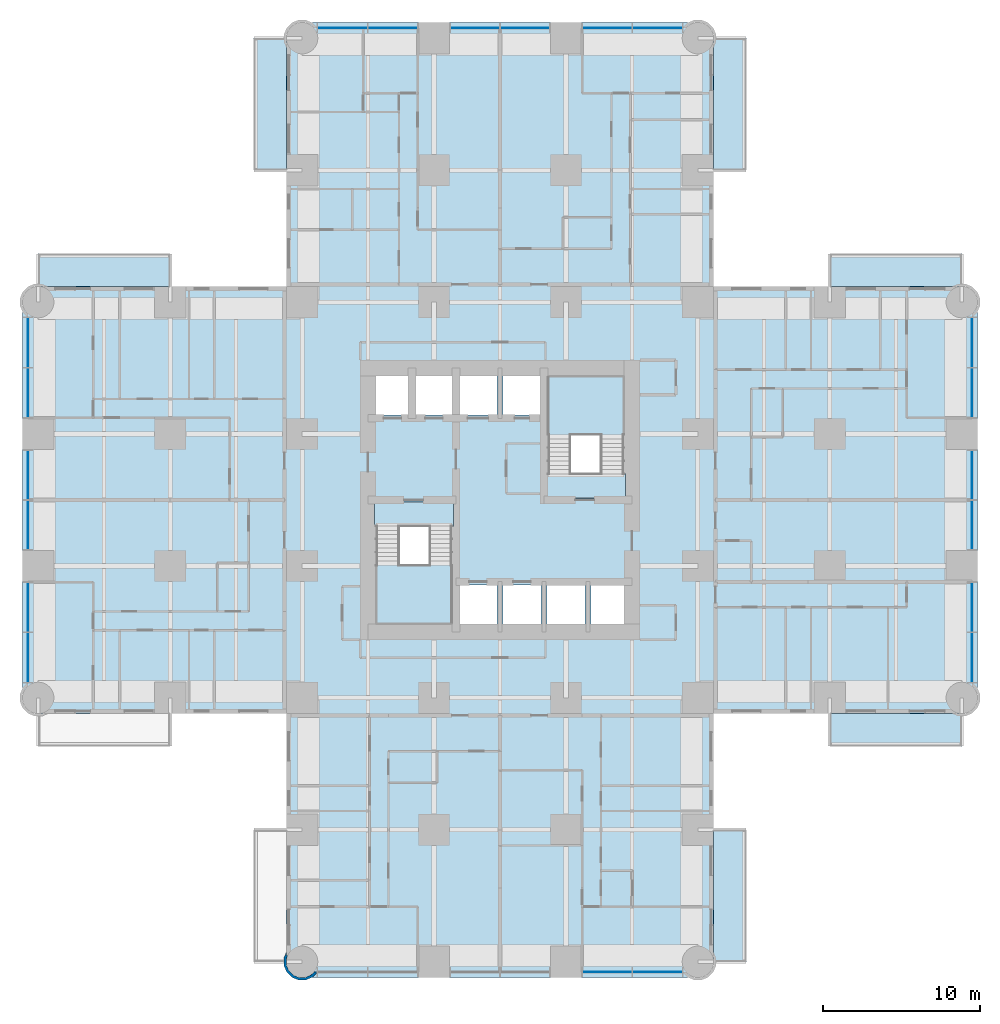
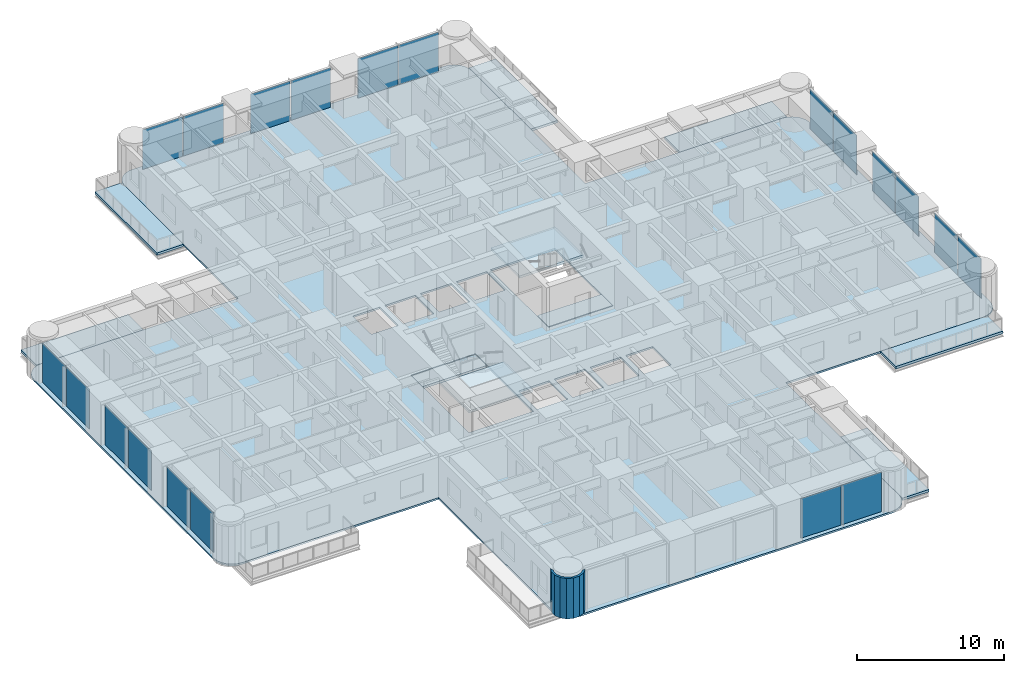
# One storey, part 6 of 17: 20 plates, 11 slabs, 1 wall, 6 elements without a shape of their own.
"""IFC4 building model written with IfcOpenShell, lengths in metres."""

from ifc_helpers import new_model, si_unit, direction, frame, origin, origin_2d, place, context, subcontext, project, spatial, polyline, rectangle, outline, extrude, material, layer, layer_set, type_object, element, aggregate, save


model = new_model("IFC4")

# Units and contexts
model_context = context("Model", 3, precision=1e-05, world=origin(), true_north=direction((0.0, 1.0)))
body_context = subcontext(model_context, "Body", "Model", "MODEL_VIEW")
ifc_project = project(units=[si_unit("LENGTHUNIT", "METRE"), si_unit("AREAUNIT", "SQUARE_METRE"), si_unit("VOLUMEUNIT", "CUBIC_METRE"), si_unit("PLANEANGLEUNIT", "RADIAN"), si_unit("MASSUNIT", "GRAM", prefix="KILO")], contexts=[model_context])

# Site, building, storey
site_placement = place(None, origin())
site = spatial("IfcSite", under=ifc_project, at=site_placement, CompositionType="ELEMENT")
building_placement = place(site_placement, origin())
building = spatial("IfcBuilding", under=site, at=building_placement, Name="Torre Alcanfor", CompositionType="ELEMENT")
storey_placement = place(building_placement, frame((0.0, 0.0, 99.300048828125)))
storey = spatial("IfcBuildingStorey", under=building, at=storey_placement, Name="L25", CompositionType="ELEMENT", Elevation=99.300048828125)

# Slabs
ifc_material_1 = material(Name="Concrete f'c 35 MPa", Category="concrete")
ifc_layer_1 = layer(ifc_material_1, 0.199951171875)
ifc_layer_set_1 = layer_set([ifc_layer_1], Name="Balcony slab 200")
slab_type_1 = type_object("IfcSlabType", Name="Balcony slab 200", PredefinedType="FLOOR", material=ifc_layer_set_1)
slab_1_placement = place(storey_placement, frame((0.0, 0.0, -0.199951171875)))
element("IfcSlab", 1, at=slab_1_placement, inside=storey, type_object=slab_type_1, Name="Balcony L25-N1", PredefinedType="FLOOR", context=body_context, shape_type="SweptSolid", body=[
    extrude(outline(polyline([(15.800048828125, 50.39990234375), (15.800048828125, 58.800048828125), (13.699951171875, 58.800048828125), (13.699951171875, 50.39990234375), (15.800048828125, 50.39990234375)])), origin(), (0.0, 0.0, 1.0), 0.199951171875),
])
slab_2_placement = place(storey_placement, frame((0.0, 0.0, -0.199951171875)))
element("IfcSlab", 2, at=slab_2_placement, inside=storey, type_object=slab_type_1, Name="Balcony L25-N2", PredefinedType="FLOOR", context=body_context, shape_type="SweptSolid", body=[
    extrude(outline(polyline([(45.10009765625, 50.39990234375), (45.10009765625, 58.800048828125), (43.0, 58.800048828125), (43.0, 50.39990234375), (45.10009765625, 50.39990234375)])), origin(), (0.0, 0.0, 1.0), 0.199951171875),
])
slab_3_placement = place(storey_placement, frame((0.0, 0.0, -0.199951171875)))
element("IfcSlab", 3, at=slab_3_placement, inside=storey, type_object=slab_type_1, Name="Balcony L25-E1", PredefinedType="FLOOR", context=body_context, shape_type="SweptSolid", body=[
    extrude(outline(polyline([(50.39990234375, 43.0), (58.800048828125, 43.0), (58.800048828125, 45.10009765625), (50.39990234375, 45.10009765625), (50.39990234375, 43.0)])), origin(), (0.0, 0.0, 1.0), 0.199951171875),
])
slab_4_placement = place(storey_placement, frame((0.0, 0.0, -0.199951171875)))
element("IfcSlab", 4, at=slab_4_placement, inside=storey, type_object=slab_type_1, Name="Balcony L25-E2", PredefinedType="FLOOR", context=body_context, shape_type="SweptSolid", body=[
    extrude(outline(polyline([(50.39990234375, 13.699951171875), (58.800048828125, 13.699951171875), (58.800048828125, 15.800048828125), (50.39990234375, 15.800048828125), (50.39990234375, 13.699951171875)])), origin(), (0.0, 0.0, 1.0), 0.199951171875),
])
slab_5_placement = place(storey_placement, frame((0.0, 0.0, -0.199951171875)))
element("IfcSlab", 5, at=slab_5_placement, inside=storey, type_object=slab_type_1, Name="Balcony L25-S1", PredefinedType="FLOOR", context=body_context, shape_type="SweptSolid", body=[
    extrude(outline(polyline([(43.0, 8.39990234375), (43.0, 0.0), (45.10009765625, 0.0), (45.10009765625, 8.39990234375), (43.0, 8.39990234375)])), origin(), (0.0, 0.0, 1.0), 0.199951171875),
])
slab_6_placement = place(storey_placement, frame((0.0, 0.0, -0.199951171875)))
element("IfcSlab", 6, at=slab_6_placement, inside=storey, type_object=slab_type_1, Name="Balcony L25-W2", PredefinedType="FLOOR", context=body_context, shape_type="SweptSolid", body=[
    extrude(outline(polyline([(8.39990234375, 45.10009765625), (0.0, 45.10009765625), (0.0, 43.0), (8.39990234375, 43.0), (8.39990234375, 45.10009765625)])), origin(), (0.0, 0.0, 1.0), 0.199951171875),
])

# Curtain wall, plates
ifc_material_2 = material(Name="Aluminium and glass", Category="aluminium")
curtain_wall_type = type_object("IfcCurtainWallType", Name="CW-A unitised apartment glazing with vertical FIN", PredefinedType="NOTDEFINED", material=ifc_material_2)
curtain_wall_1_placement = place(storey_placement, origin())
curtain_wall_1 = element("IfcCurtainWall", 7, at=curtain_wall_1_placement, inside=storey, type_object=curtain_wall_type, Name="Curtain wall CW-A L25 2", PredefinedType="NOTDEFINED")
ifc_material_3 = material(Name="Glass", Category="glass")
ifc_layer_2 = layer(ifc_material_3, 0.028076171875)
ifc_layer_set_2 = layer_set([ifc_layer_2], Name="CW-A clear double glazed unit")
plate_type = type_object("IfcPlateType", Name="CW-A clear double glazed unit", PredefinedType="CURTAIN_PANEL", material=ifc_layer_set_2)
plate_1_placement = place(storey_placement, frame((-0.64990234375, 39.428466796875, 0.0), z_axis=(0.0, 0.0, 1.0), x_axis=(0.0, -1.0, 0.0)))
plate_1 = element("IfcPlate", 8, at=plate_1_placement, type_object=plate_type, Name="CW-A panel 1.1.1", PredefinedType="CURTAIN_PANEL", context=body_context, shape_type="SweptSolid", body=[
    extrude(rectangle(XDim=3.12890625, YDim=0.028076171875, at=origin_2d()), origin(), (0.0, 0.0, 1.0), 3.284912109375),
])
plate_2_placement = place(storey_placement, frame((-0.64990234375, 36.234619140625, 0.0), z_axis=(0.0, 0.0, 1.0), x_axis=(0.0, -1.0, 0.0)))
plate_2 = element("IfcPlate", 9, at=plate_2_placement, type_object=plate_type, Name="CW-A panel 1.2.1", PredefinedType="CURTAIN_PANEL", context=body_context, shape_type="SweptSolid", body=[
    extrude(rectangle(XDim=3.12890625, YDim=0.028076171875, at=origin_2d()), origin(), (0.0, 0.0, 1.0), 3.284912109375),
])
plate_3_placement = place(storey_placement, frame((-0.64990234375, 30.981201171875, 0.0), z_axis=(0.0, 0.0, 1.0), x_axis=(0.0, -1.0, 0.0)))
plate_3 = element("IfcPlate", 10, at=plate_3_placement, type_object=plate_type, Name="CW-A panel 2.1.1", PredefinedType="CURTAIN_PANEL", context=body_context, shape_type="SweptSolid", body=[
    extrude(rectangle(XDim=3.097412109375, YDim=0.028076171875, at=origin_2d()), origin(), (0.0, 0.0, 1.0), 3.284912109375),
])
plate_4_placement = place(storey_placement, frame((-0.64990234375, 27.81884765625, 0.0), z_axis=(0.0, 0.0, 1.0), x_axis=(0.0, -1.0, 0.0)))
plate_4 = element("IfcPlate", 11, at=plate_4_placement, type_object=plate_type, Name="CW-A panel 2.2.1", PredefinedType="CURTAIN_PANEL", context=body_context, shape_type="SweptSolid", body=[
    extrude(rectangle(XDim=3.097412109375, YDim=0.028076171875, at=origin_2d()), origin(), (0.0, 0.0, 1.0), 3.284912109375),
])
plate_5_placement = place(storey_placement, frame((-0.64990234375, 22.5654296875, 0.0), z_axis=(0.0, 0.0, 1.0), x_axis=(0.0, -1.0, 0.0)))
plate_5 = element("IfcPlate", 12, at=plate_5_placement, type_object=plate_type, Name="CW-A panel 3.1.1", PredefinedType="CURTAIN_PANEL", context=body_context, shape_type="SweptSolid", body=[
    extrude(rectangle(XDim=3.12890625, YDim=0.028076171875, at=origin_2d()), origin(), (0.0, 0.0, 1.0), 3.284912109375),
])
plate_6_placement = place(storey_placement, frame((-0.64990234375, 19.37158203125, 0.0), z_axis=(0.0, 0.0, 1.0), x_axis=(0.0, -1.0, 0.0)))
plate_6 = element("IfcPlate", 13, at=plate_6_placement, type_object=plate_type, Name="CW-A panel 3.2.1", PredefinedType="CURTAIN_PANEL", context=body_context, shape_type="SweptSolid", body=[
    extrude(rectangle(XDim=3.12890625, YDim=0.028076171875, at=origin_2d()), origin(), (0.0, 0.0, 1.0), 3.284912109375),
])
aggregate(curtain_wall_1, [plate_1, plate_2, plate_3, plate_4, plate_5, plate_6])

curtain_wall_2_placement = place(storey_placement, origin())
curtain_wall_2 = element("IfcCurtainWall", 14, at=curtain_wall_2_placement, inside=storey, type_object=curtain_wall_type, Name="Curtain wall CW-A L25 5", PredefinedType="NOTDEFINED")
plate_7_placement = place(storey_placement, frame((36.234619140625, -0.64990234375, 0.0), z_axis=(0.0, 0.0, 1.0), x_axis=(1.0, 0.0, 0.0)))
plate_7 = element("IfcPlate", 15, at=plate_7_placement, type_object=plate_type, Name="CW-A panel 3.1.1", PredefinedType="CURTAIN_PANEL", context=body_context, shape_type="SweptSolid", body=[
    extrude(rectangle(XDim=3.12890625, YDim=0.028076171875, at=origin_2d()), origin(), (0.0, 0.0, 1.0), 3.284912109375),
])
plate_8_placement = place(storey_placement, frame((39.428466796875, -0.64990234375, 0.0), z_axis=(0.0, 0.0, 1.0), x_axis=(1.0, 0.0, 0.0)))
plate_8 = element("IfcPlate", 16, at=plate_8_placement, type_object=plate_type, Name="CW-A panel 3.2.1", PredefinedType="CURTAIN_PANEL", context=body_context, shape_type="SweptSolid", body=[
    extrude(rectangle(XDim=3.12890625, YDim=0.028076171875, at=origin_2d()), origin(), (0.0, 0.0, 1.0), 3.284912109375),
])
aggregate(curtain_wall_2, [plate_7, plate_8])

curtain_wall_3_placement = place(storey_placement, origin())
curtain_wall_3 = element("IfcCurtainWall", 17, at=curtain_wall_3_placement, inside=storey, type_object=curtain_wall_type, Name="Curtain wall CW-A L25 8", PredefinedType="NOTDEFINED")
plate_9_placement = place(storey_placement, frame((59.449951171875, 19.37158203125, 0.0), z_axis=(0.0, 0.0, 1.0), x_axis=(0.0, 1.0, 0.0)))
plate_9 = element("IfcPlate", 18, at=plate_9_placement, type_object=plate_type, Name="CW-A panel 1.1.1", PredefinedType="CURTAIN_PANEL", context=body_context, shape_type="SweptSolid", body=[
    extrude(rectangle(XDim=3.12890625, YDim=0.028076171875, at=origin_2d()), origin(), (0.0, 0.0, 1.0), 3.284912109375),
])
plate_10_placement = place(storey_placement, frame((59.449951171875, 22.5654296875, 0.0), z_axis=(0.0, 0.0, 1.0), x_axis=(0.0, 1.0, 0.0)))
plate_10 = element("IfcPlate", 19, at=plate_10_placement, type_object=plate_type, Name="CW-A panel 1.2.1", PredefinedType="CURTAIN_PANEL", context=body_context, shape_type="SweptSolid", body=[
    extrude(rectangle(XDim=3.12890625, YDim=0.028076171875, at=origin_2d()), origin(), (0.0, 0.0, 1.0), 3.284912109375),
])
plate_11_placement = place(storey_placement, frame((59.449951171875, 27.81884765625, 0.0), z_axis=(0.0, 0.0, 1.0), x_axis=(0.0, 1.0, 0.0)))
plate_11 = element("IfcPlate", 20, at=plate_11_placement, type_object=plate_type, Name="CW-A panel 2.1.1", PredefinedType="CURTAIN_PANEL", context=body_context, shape_type="SweptSolid", body=[
    extrude(rectangle(XDim=3.097412109375, YDim=0.028076171875, at=origin_2d()), origin(), (0.0, 0.0, 1.0), 3.284912109375),
])
plate_12_placement = place(storey_placement, frame((59.449951171875, 30.981201171875, 0.0), z_axis=(0.0, 0.0, 1.0), x_axis=(0.0, 1.0, 0.0)))
plate_12 = element("IfcPlate", 21, at=plate_12_placement, type_object=plate_type, Name="CW-A panel 2.2.1", PredefinedType="CURTAIN_PANEL", context=body_context, shape_type="SweptSolid", body=[
    extrude(rectangle(XDim=3.097412109375, YDim=0.028076171875, at=origin_2d()), origin(), (0.0, 0.0, 1.0), 3.284912109375),
])
plate_13_placement = place(storey_placement, frame((59.449951171875, 36.234619140625, 0.0), z_axis=(0.0, 0.0, 1.0), x_axis=(0.0, 1.0, 0.0)))
plate_13 = element("IfcPlate", 22, at=plate_13_placement, type_object=plate_type, Name="CW-A panel 3.1.1", PredefinedType="CURTAIN_PANEL", context=body_context, shape_type="SweptSolid", body=[
    extrude(rectangle(XDim=3.12890625, YDim=0.028076171875, at=origin_2d()), origin(), (0.0, 0.0, 1.0), 3.284912109375),
])
plate_14_placement = place(storey_placement, frame((59.449951171875, 39.428466796875, 0.0), z_axis=(0.0, 0.0, 1.0), x_axis=(0.0, 1.0, 0.0)))
plate_14 = element("IfcPlate", 23, at=plate_14_placement, type_object=plate_type, Name="CW-A panel 3.2.1", PredefinedType="CURTAIN_PANEL", context=body_context, shape_type="SweptSolid", body=[
    extrude(rectangle(XDim=3.12890625, YDim=0.028076171875, at=origin_2d()), origin(), (0.0, 0.0, 1.0), 3.284912109375),
])
aggregate(curtain_wall_3, [plate_9, plate_10, plate_11, plate_12, plate_13, plate_14])

curtain_wall_4_placement = place(storey_placement, origin())
curtain_wall_4 = element("IfcCurtainWall", 24, at=curtain_wall_4_placement, inside=storey, type_object=curtain_wall_type, Name="Curtain wall CW-A L25 11", PredefinedType="NOTDEFINED")
plate_15_placement = place(storey_placement, frame((39.428466796875, 59.449951171875, 0.0), z_axis=(0.0, 0.0, 1.0), x_axis=(-1.0, 0.0, 0.0)))
plate_15 = element("IfcPlate", 25, at=plate_15_placement, type_object=plate_type, Name="CW-A panel 1.1.1", PredefinedType="CURTAIN_PANEL", context=body_context, shape_type="SweptSolid", body=[
    extrude(rectangle(XDim=3.12890625, YDim=0.028076171875, at=origin_2d()), origin(), (0.0, 0.0, 1.0), 3.284912109375),
])
plate_16_placement = place(storey_placement, frame((36.234619140625, 59.449951171875, 0.0), z_axis=(0.0, 0.0, 1.0), x_axis=(-1.0, 0.0, 0.0)))
plate_16 = element("IfcPlate", 26, at=plate_16_placement, type_object=plate_type, Name="CW-A panel 1.2.1", PredefinedType="CURTAIN_PANEL", context=body_context, shape_type="SweptSolid", body=[
    extrude(rectangle(XDim=3.12890625, YDim=0.028076171875, at=origin_2d()), origin(), (0.0, 0.0, 1.0), 3.284912109375),
])
plate_17_placement = place(storey_placement, frame((30.981201171875, 59.449951171875, 0.0), z_axis=(0.0, 0.0, 1.0), x_axis=(-1.0, 0.0, 0.0)))
plate_17 = element("IfcPlate", 27, at=plate_17_placement, type_object=plate_type, Name="CW-A panel 2.1.1", PredefinedType="CURTAIN_PANEL", context=body_context, shape_type="SweptSolid", body=[
    extrude(rectangle(XDim=3.097412109375, YDim=0.028076171875, at=origin_2d()), origin(), (0.0, 0.0, 1.0), 3.284912109375),
])
plate_18_placement = place(storey_placement, frame((27.81884765625, 59.449951171875, 0.0), z_axis=(0.0, 0.0, 1.0), x_axis=(-1.0, 0.0, 0.0)))
plate_18 = element("IfcPlate", 28, at=plate_18_placement, type_object=plate_type, Name="CW-A panel 2.2.1", PredefinedType="CURTAIN_PANEL", context=body_context, shape_type="SweptSolid", body=[
    extrude(rectangle(XDim=3.097412109375, YDim=0.028076171875, at=origin_2d()), origin(), (0.0, 0.0, 1.0), 3.284912109375),
])
plate_19_placement = place(storey_placement, frame((22.5654296875, 59.449951171875, 0.0), z_axis=(0.0, 0.0, 1.0), x_axis=(-1.0, 0.0, 0.0)))
plate_19 = element("IfcPlate", 29, at=plate_19_placement, type_object=plate_type, Name="CW-A panel 3.1.1", PredefinedType="CURTAIN_PANEL", context=body_context, shape_type="SweptSolid", body=[
    extrude(rectangle(XDim=3.12890625, YDim=0.028076171875, at=origin_2d()), origin(), (0.0, 0.0, 1.0), 3.284912109375),
])
plate_20_placement = place(storey_placement, frame((19.37158203125, 59.449951171875, 0.0), z_axis=(0.0, 0.0, 1.0), x_axis=(-1.0, 0.0, 0.0)))
plate_20 = element("IfcPlate", 30, at=plate_20_placement, type_object=plate_type, Name="CW-A panel 3.2.1", PredefinedType="CURTAIN_PANEL", context=body_context, shape_type="SweptSolid", body=[
    extrude(rectangle(XDim=3.12890625, YDim=0.028076171875, at=origin_2d()), origin(), (0.0, 0.0, 1.0), 3.284912109375),
])
aggregate(curtain_wall_4, [plate_15, plate_16, plate_17, plate_18, plate_19, plate_20])

# Slab
ifc_material_4 = material(Name="Concrete f'c 35 MPa", Category="concrete")
ifc_layer_3 = layer(ifc_material_4, 0.14990234375)
ifc_layer_set_3 = layer_set([ifc_layer_3], Name="Composite floor 150 on metal deck")
slab_type_2 = type_object("IfcSlabType", Name="Composite floor 150 on metal deck", PredefinedType="FLOOR", material=ifc_layer_set_3)
slab_7_placement = place(storey_placement, frame((0.0, 0.0, -0.150146484375)))
element("IfcSlab", 31, at=slab_7_placement, inside=storey, type_object=slab_type_2, Name="Floor slab L25", PredefinedType="FLOOR", context=body_context, shape_type="SweptSolid", body=[
    extrude(outline(polyline([(15.800048828125, 43.0), (0.39990234375, 43.0), (0.03759765625, 42.952392578125), (-0.300048828125, 42.8125), (-0.58984375, 42.58984375), (-0.8125, 42.300048828125), (-0.952392578125, 41.96240234375), (-1.0, 41.60009765625), (-1.0, 17.199951171875), (-0.952392578125, 16.837646484375), (-0.8125, 16.5), (-0.58984375, 16.210205078125), (-0.300048828125, 15.987548828125), (0.03759765625, 15.84765625), (0.39990234375, 15.800048828125), (15.800048828125, 15.800048828125), (15.800048828125, 0.39990234375), (15.84765625, 0.03759765625), (15.987548828125, -0.300048828125), (16.210205078125, -0.58984375), (16.5, -0.8125), (16.837646484375, -0.952392578125), (17.199951171875, -1.0), (41.60009765625, -1.0), (41.96240234375, -0.952392578125), (42.300048828125, -0.8125), (42.58984375, -0.58984375), (42.8125, -0.300048828125), (42.952392578125, 0.03759765625), (43.0, 0.39990234375), (43.0, 15.800048828125), (58.39990234375, 15.800048828125), (58.76220703125, 15.84765625), (59.10009765625, 15.987548828125), (59.389892578125, 16.210205078125), (59.6123046875, 16.5), (59.752197265625, 16.837646484375), (59.800048828125, 17.199951171875), (59.800048828125, 41.60009765625), (59.752197265625, 41.96240234375), (59.6123046875, 42.300048828125), (59.389892578125, 42.58984375), (59.10009765625, 42.8125), (58.76220703125, 42.952392578125), (58.39990234375, 43.0), (43.0, 43.0), (43.0, 58.39990234375), (42.952392578125, 58.76220703125), (42.8125, 59.10009765625), (42.58984375, 59.389892578125), (42.300048828125, 59.6123046875), (41.96240234375, 59.752197265625), (41.60009765625, 59.800048828125), (17.199951171875, 59.800048828125), (16.837646484375, 59.752197265625), (16.5, 59.6123046875), (16.210205078125, 59.389892578125), (15.987548828125, 59.10009765625), (15.84765625, 58.76220703125), (15.800048828125, 58.39990234375), (15.800048828125, 43.0)]), holes=[polyline([(21.419921875, 21.419921875), (26.47998046875, 21.419921875), (26.47998046875, 29.280029296875), (21.419921875, 29.280029296875), (21.419921875, 21.419921875)]), polyline([(32.320068359375, 29.52001953125), (37.3798828125, 29.52001953125), (37.3798828125, 37.3798828125), (32.320068359375, 37.3798828125), (32.320068359375, 29.52001953125)]), polyline([(26.800048828125, 21.5), (29.199951171875, 21.5), (29.199951171875, 24.0), (26.800048828125, 24.0), (26.800048828125, 21.5)]), polyline([(29.60009765625, 21.5), (32.0, 21.5), (32.0, 24.0), (29.60009765625, 24.0), (29.60009765625, 21.5)]), polyline([(32.39990234375, 21.5), (34.800048828125, 21.5), (34.800048828125, 24.0), (32.39990234375, 24.0), (32.39990234375, 21.5)]), polyline([(35.199951171875, 21.5), (37.300048828125, 21.5), (37.300048828125, 24.0), (35.199951171875, 24.0), (35.199951171875, 21.5)]), polyline([(21.5, 34.800048828125), (23.60009765625, 34.800048828125), (23.60009765625, 37.300048828125), (21.5, 37.300048828125), (21.5, 34.800048828125)]), polyline([(24.0, 34.800048828125), (26.39990234375, 34.800048828125), (26.39990234375, 37.300048828125), (24.0, 37.300048828125), (24.0, 34.800048828125)]), polyline([(26.800048828125, 34.800048828125), (29.199951171875, 34.800048828125), (29.199951171875, 37.300048828125), (26.800048828125, 37.300048828125), (26.800048828125, 34.800048828125)]), polyline([(29.60009765625, 34.800048828125), (32.0, 34.800048828125), (32.0, 37.300048828125), (29.60009765625, 37.300048828125), (29.60009765625, 34.800048828125)])]), origin(), (0.0, 0.0, 1.0), 0.150146484375),
])

# Stair, slabs
ifc_material_5 = material(Name="Concrete f'c 35 MPa", Category="concrete")
stair_type_1 = type_object("IfcStairType", Name="Exit stair S1 1400 wide", PredefinedType="HALF_TURN_STAIR", material=ifc_material_5)
stair_1_placement = place(storey_placement, origin())
stair_1 = element("IfcStair", 32, at=stair_1_placement, inside=storey, type_object=stair_type_1, Name="Stair S1 L25 to L26", PredefinedType="HALF_TURN_STAIR")
ifc_material_6 = material(Name="Concrete f'c 35 MPa", Category="concrete")
ifc_layer_4 = layer(ifc_material_6, 0.199951171875)
ifc_layer_set_4 = layer_set([ifc_layer_4], Name="Stair landing 200")
slab_type_3 = type_object("IfcSlabType", Name="Stair landing 200", PredefinedType="LANDING", material=ifc_layer_set_4)
slab_8_placement = place(storey_placement, frame((0.0, 0.0, -0.199951171875)))
slab_8 = element("IfcSlab", 33, at=slab_8_placement, type_object=slab_type_3, Name="S1 landing 1", PredefinedType="LANDING", context=body_context, shape_type="SweptSolid", body=[
    extrude(outline(polyline([(21.419921875, 27.699951171875), (26.429931640625, 27.699951171875), (26.429931640625, 29.22998046875), (21.419921875, 29.22998046875), (21.419921875, 27.699951171875)])), origin(), (0.0, 0.0, 1.0), 0.199951171875),
])
slab_9_placement = place(storey_placement, frame((0.0, 0.0, 1.599853515625)))
slab_9 = element("IfcSlab", 34, at=slab_9_placement, type_object=slab_type_3, Name="S1 landing 2", PredefinedType="LANDING", context=body_context, shape_type="SweptSolid", body=[
    extrude(outline(polyline([(21.419921875, 21.419921875), (26.429931640625, 21.419921875), (26.429931640625, 25.280029296875), (21.419921875, 25.280029296875), (21.419921875, 21.419921875)])), origin(), (0.0, 0.0, 1.0), 0.2001953125),
])
aggregate(stair_1, [slab_8, slab_9])

ifc_material_7 = material(Name="Concrete f'c 35 MPa", Category="concrete")
stair_type_2 = type_object("IfcStairType", Name="Exit stair S2 1400 wide", PredefinedType="HALF_TURN_STAIR", material=ifc_material_7)
stair_2_placement = place(storey_placement, origin())
stair_2 = element("IfcStair", 35, at=stair_2_placement, inside=storey, type_object=stair_type_2, Name="Stair S2 L25 to L26", PredefinedType="HALF_TURN_STAIR")
slab_10_placement = place(storey_placement, frame((0.0, 0.0, -0.199951171875)))
slab_10 = element("IfcSlab", 36, at=slab_10_placement, type_object=slab_type_3, Name="S2 landing 1", PredefinedType="LANDING", context=body_context, shape_type="SweptSolid", body=[
    extrude(outline(polyline([(32.3701171875, 29.570068359375), (37.3798828125, 29.570068359375), (37.3798828125, 31.10009765625), (32.3701171875, 31.10009765625), (32.3701171875, 29.570068359375)])), origin(), (0.0, 0.0, 1.0), 0.199951171875),
])
slab_11_placement = place(storey_placement, frame((0.0, 0.0, 1.599853515625)))
slab_11 = element("IfcSlab", 37, at=slab_11_placement, type_object=slab_type_3, Name="S2 landing 2", PredefinedType="LANDING", context=body_context, shape_type="SweptSolid", body=[
    extrude(outline(polyline([(32.3701171875, 33.52001953125), (37.3798828125, 33.52001953125), (37.3798828125, 37.3798828125), (32.3701171875, 37.3798828125), (32.3701171875, 33.52001953125)])), origin(), (0.0, 0.0, 1.0), 0.2001953125),
])
aggregate(stair_2, [slab_10, slab_11])

# Wall
ifc_material_8 = material(Name="Limestone cladding", Category="masonry")
ifc_layer_5 = layer(ifc_material_8, 0.0400390625, Name="Facing")
ifc_material_9 = material(Name="Ventilated air cavity")
ifc_layer_6 = layer(ifc_material_9, 0.02001953125, ventilated=True, Name="Ventilated joint")
ifc_material_10 = material(Name="Mineral wool insulation", Category="insulation")
ifc_layer_7 = layer(ifc_material_10, 0.10009765625, Name="Insulation")
ifc_material_11 = material(Name="Concrete f'c 35 MPa", Category="concrete")
ifc_layer_8 = layer(ifc_material_11, 0.139892578125, Name="Backing")
ifc_layer_set_5 = layer_set([ifc_layer_5, ifc_layer_6, ifc_layer_7, ifc_layer_8], Name="Rounded corner pier stone-clad 300")
wall_type = type_object("IfcWallType", Name="Rounded corner pier stone-clad 300", PredefinedType="SOLIDWALL", material=ifc_layer_set_5)
wall_placement = place(storey_placement, frame((15.880872367, 0.56710175, 0.0), z_axis=(0.0, 0.0, 1.0), x_axis=(-0.555974394895, -0.831199417842, 0.0)))
element("IfcWall", 38, at=wall_placement, inside=storey, type_object=wall_type, Name="Corner pier L25 15", PredefinedType="SOLIDWALL", context=body_context, shape_type="SweptSolid", body=[
    extrude(outline(polyline([(0.07486662137033673, 2.0770291082740715), (0.3505403234132899, 2.022333510451921), (0.6817224156593433, 1.801217909799015), (0.903107727688907, 1.4702398212977963), (0.9810337473110966, 1.079725772200442), (0.9033565864525316, 0.6891087359502756), (0.6824439153449975, 0.35806237964047577), (0.35126289729840693, 0.13654133167465865), (0.12605218531912912, 0.0916414394041179), (0.18391186725786726, 0.0257781102557154), (0.003507501422438934, -0.09489113707370338), (0.4135848163827835, -0.013278667684390066), (0.797121657135269, 0.24326225183484668), (1.053163825506651, 0.6271781873826704), (1.1431374168338324, 1.0797710067702577), (1.0527247975025837, 1.5324260044459193), (0.796183877983347, 1.9159628451984045), (0.41247087198089516, 2.17214074950604), (0.017248254924228545, 2.2505556913468876), (-0.023134724604736867, 2.223544240032428), (0.07486662137033673, 2.0770291082740715)])), origin(), (0.0, 0.0, 1.0), 3.349853515625),
])

save(model, "model.ifc")
